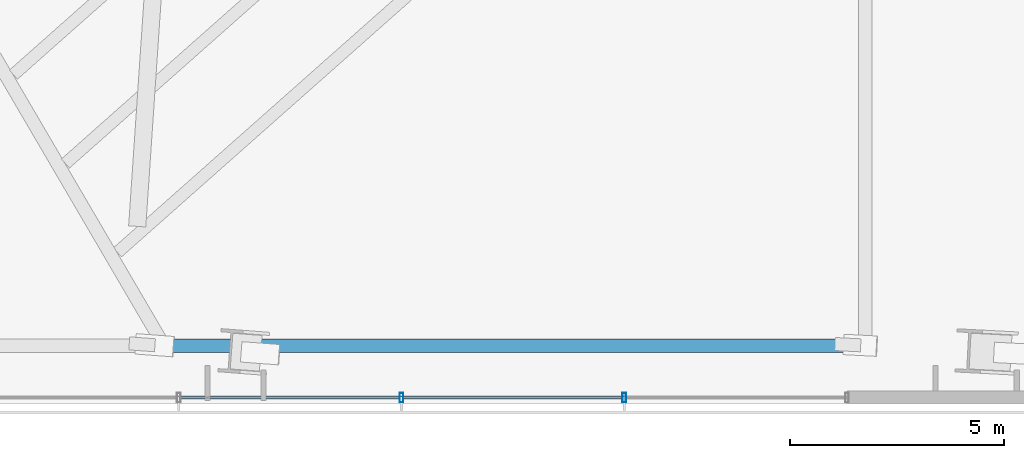
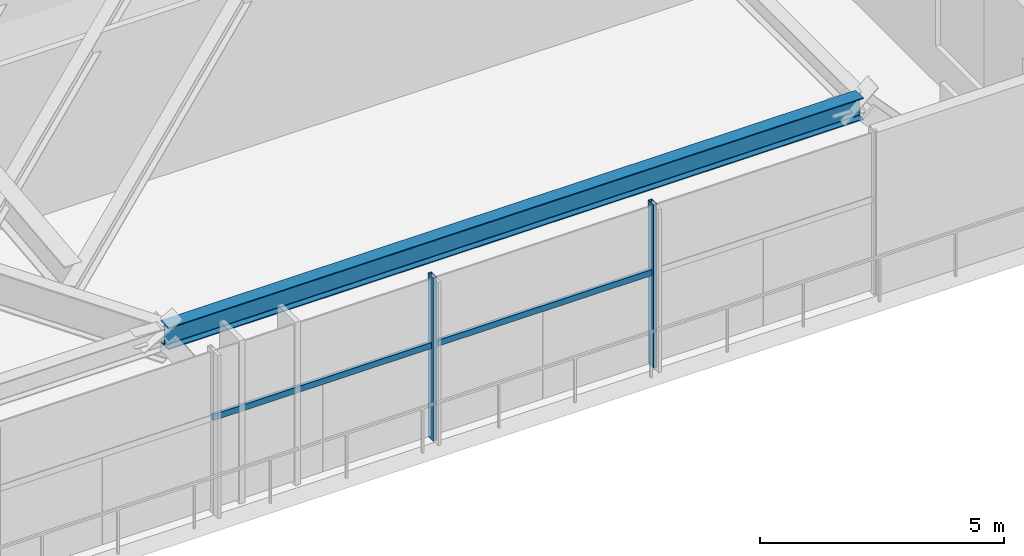
# One storey, part 14 of 33: 4 members, 1 beam, 1 element without a shape of its own.
"""IFC4 building model written with IfcOpenShell, lengths in metres."""

import ifcopenshell
import ifcopenshell.guid

model = None  # the IFC model being written
_history = None  # IfcOwnerHistory: only IFC2X3 demands one
_inside = {}  # id of a spatial element -> (the spatial element, [elements in it])
_under = {}  # id of a project, library or spatial element -> (it, [spatial elements below it])
_declared = {}  # id of a project -> (the project, [libraries it declares])
_typed = {}  # id of a type object -> (the type object, [elements of that type])
_made_of = {}  # id of a material, layer set ... -> (it, [elements and type objects made of it])


def new_model(schema):
    """Start an empty IFC model of exactly this schema.

    Asked for "IFC4X3", IfcOpenShell would pick the latest addendum, in which some entities
    have other attributes; the version numbers below select the first issue.
    IFC2X3 requires an IfcOwnerHistory on every rooted entity: one is made here for all.
    """
    global model, _history
    if schema == "IFC4X3":
        model = ifcopenshell.file(schema_version=(4, 3, 0, 0))
    else:
        model = ifcopenshell.file(schema=schema)
    _inside.clear()
    _under.clear()
    _declared.clear()
    _typed.clear()
    _made_of.clear()
    _history = None
    if model.schema == "IFC2X3":
        org = make("IfcOrganization", Name="unknown")
        user = make(
            "IfcPersonAndOrganization",
            ThePerson=make("IfcPerson", FamilyName="unknown"),
            TheOrganization=org,
        )
        app = make(
            "IfcApplication",
            ApplicationDeveloper=org,
            Version="unknown",
            ApplicationFullName="unknown",
            ApplicationIdentifier="unknown",
        )
        _history = make(
            "IfcOwnerHistory",
            OwningUser=user,
            OwningApplication=app,
            ChangeAction="ADDED",
            CreationDate=0,
        )
    return model


def make(cls, **values):
    """One entity of the class cls with the attributes given. An attribute that is None is left unset."""
    return model.create_entity(
        cls, **{name: value for name, value in values.items() if value is not None}
    )


def rooted(cls, **values):
    """An entity with a GlobalId (a new one), such as an element, a storey or a relation."""
    return make(cls, GlobalId=ifcopenshell.guid.new(), OwnerHistory=_history, **values)


def si_unit(unit_type, name, prefix=None):
    """IfcSIUnit, for example si_unit("LENGTHUNIT", "METRE", prefix="MILLI")."""
    return make("IfcSIUnit", UnitType=unit_type, Prefix=prefix, Name=name)


def assignment(units):
    """IfcUnitAssignment: the units of a project."""
    return None if units is None else make("IfcUnitAssignment", Units=units)


def point(xyz):
    """IfcCartesianPoint."""
    return None if xyz is None else make("IfcCartesianPoint", Coordinates=xyz)


def direction(xyz):
    """IfcDirection."""
    return None if xyz is None else make("IfcDirection", DirectionRatios=xyz)


def frame(location, z_axis=None, x_axis=None):
    """IfcAxis2Placement3D, a coordinate frame: its origin and axes. An axis left out is left unset."""
    return make(
        "IfcAxis2Placement3D",
        Location=point(location),
        Axis=direction(z_axis),
        RefDirection=direction(x_axis),
    )


def frame_2d(location, x_axis=None):
    """IfcAxis2Placement2D, a coordinate frame in the plane: its origin and x axis."""
    return make(
        "IfcAxis2Placement2D", Location=point(location), RefDirection=direction(x_axis)
    )


def origin():
    """The frame at (0, 0, 0) with its axes left unset."""
    return frame((0.0, 0.0, 0.0))


def origin_2d():
    """The frame at (0, 0) in the plane with its x axis left unset."""
    return frame_2d((0.0, 0.0))


def place(relative_to, where):
    """IfcLocalPlacement: puts the frame where relative to a parent placement (None: the world)."""
    return make(
        "IfcLocalPlacement", PlacementRelTo=relative_to, RelativePlacement=where
    )


def context(
    kind, dimensions, precision=None, world=None, true_north=None, identifier=None
):
    """IfcGeometricRepresentationContext, for example the 3D "Model" context."""
    return make(
        "IfcGeometricRepresentationContext",
        ContextIdentifier=identifier,
        ContextType=kind,
        CoordinateSpaceDimension=dimensions,
        Precision=precision,
        WorldCoordinateSystem=world,
        TrueNorth=true_north,
    )


def subcontext(parent, identifier, kind, view, scale=None):
    """IfcGeometricRepresentationSubContext, for example "Body" below "Model"."""
    return make(
        "IfcGeometricRepresentationSubContext",
        ContextIdentifier=identifier,
        ContextType=kind,
        ParentContext=parent,
        TargetScale=scale,
        TargetView=view,
    )


def project(units=None, contexts=None):
    """IfcProject with its units and contexts."""
    return rooted(
        "IfcProject",
        Name="project",
        RepresentationContexts=contexts,
        UnitsInContext=assignment(units),
    )


def spatial(cls, under=None, at=None, **own):
    """A site, building, storey or space (cls), placed at a placement, below another one or the project."""
    s = rooted(cls, ObjectPlacement=at, **own)
    if under is not None:
        _under.setdefault(under.id(), (under, []))[1].append(s)
    return s


def profile(cls, at=None, kind="AREA", **sizes):
    """A parametric profile (cls). Its sizes go by their IFC names, for example OverallWidth=200.0."""
    return make(cls, ProfileType=kind, Position=at, **sizes)


def hollow_rectangle(**sizes):
    """IfcRectangleHollowProfileDef."""
    return profile("IfcRectangleHollowProfileDef", **sizes)


def i_section(**sizes):
    """IfcIShapeProfileDef."""
    return profile("IfcIShapeProfileDef", **sizes)


def extrude(swept, where, along, depth):
    """IfcExtrudedAreaSolid: the profile swept, set in the frame where, extruded along a direction by depth."""
    return make(
        "IfcExtrudedAreaSolid",
        SweptArea=swept,
        Position=where,
        ExtrudedDirection=direction(along),
        Depth=depth,
    )


def shape(context_of_items, identifier, shape_type, items):
    """IfcShapeRepresentation: the items that make up one representation, for example the "Body"."""
    return make(
        "IfcShapeRepresentation",
        ContextOfItems=context_of_items,
        RepresentationIdentifier=identifier,
        RepresentationType=shape_type,
        Items=items,
    )


def source(mapping_origin, context_of_items, identifier, shape_type, items):
    """IfcRepresentationMap: a shape defined once, which mapped items show again and again."""
    return make(
        "IfcRepresentationMap",
        MappingOrigin=mapping_origin,
        MappedRepresentation=shape(context_of_items, identifier, shape_type, items),
    )


def transform(
    local_origin,
    x_axis=None,
    y_axis=None,
    z_axis=None,
    scale=None,
    scale2=None,
    scale3=None,
    uniform=True,
):
    """IfcCartesianTransformationOperator3D, or its non-uniform kind. x_axis, y_axis, z_axis: its Axis1, 2, 3."""
    if uniform:
        return make(
            "IfcCartesianTransformationOperator3D",
            Axis1=direction(x_axis),
            Axis2=direction(y_axis),
            LocalOrigin=point(local_origin),
            Scale=scale,
            Axis3=direction(z_axis),
        )
    return make(
        "IfcCartesianTransformationOperator3DnonUniform",
        Axis1=direction(x_axis),
        Axis2=direction(y_axis),
        LocalOrigin=point(local_origin),
        Scale=scale,
        Axis3=direction(z_axis),
        Scale2=scale2,
        Scale3=scale3,
    )


def mapped(mapping_source, mapping_target):
    """IfcMappedItem: shows the shape of a source again, moved by a transform."""
    return make(
        "IfcMappedItem", MappingSource=mapping_source, MappingTarget=mapping_target
    )


def material(Name=None, Category=None):
    """IfcMaterial."""
    return make("IfcMaterial", Name=Name, Category=Category)


def material_profile(
    of_material, cross_section, Name=None, Category=None, Priority=None
):
    """IfcMaterialProfile: a cross section and its material."""
    return make(
        "IfcMaterialProfile",
        Name=Name,
        Material=of_material,
        Profile=cross_section,
        Priority=Priority,
        Category=Category,
    )


def profile_set(profiles, Name=None, composite=None):
    """IfcMaterialProfileSet."""
    return make(
        "IfcMaterialProfileSet",
        Name=Name,
        MaterialProfiles=profiles,
        CompositeProfile=composite,
    )


def made_of(thing, what):
    """Note that an element or type object is made of a material, layer set ...; save() writes the relation."""
    if what is not None:
        _made_of.setdefault(what.id(), (what, []))[1].append(thing)
    return thing


def type_object(cls, material=None, **own):
    """A type object (cls), such as IfcWallType, which elements share."""
    return made_of(rooted(cls, **own), material)


def type_shapes(of_type, sources):
    """Give a type object the sources (RepresentationMaps) that its elements show as mapped items."""
    of_type.RepresentationMaps = sources


def element(
    cls,
    number,
    at=None,
    inside=None,
    cuts=None,
    type_object=None,
    material=None,
    context=None,
    identifier="Body",
    shape_type=None,
    held_by="IfcProductDefinitionShape",
    body=None,
    shapes=None,
    **own,
):
    """One element of the class cls, such as IfcWall. Its Tag is "e" and its number.

    at: its placement. inside: the storey or other place that contains it. cuts: it is an
    opening in that element (IfcRelVoidsElement). A single representation is given by context,
    identifier, shape_type and body (its items); several are given by shapes. held_by: the class
    of the entity that holds the representations. save() writes the other relations.
    """
    e = rooted(cls, Tag="e%d" % number, ObjectPlacement=at, **own)
    if body is not None:
        shapes = [shape(context, identifier, shape_type, body)]
    if shapes is not None:
        e.Representation = make(held_by, Representations=shapes)
    if inside is not None:
        _inside.setdefault(inside.id(), (inside, []))[1].append(e)
    if cuts is not None:
        rooted(
            "IfcRelVoidsElement", RelatingBuildingElement=cuts, RelatedOpeningElement=e
        )
    if type_object is not None:
        _typed.setdefault(type_object.id(), (type_object, []))[1].append(e)
    return made_of(e, material)


def aggregate(whole, parts):
    """IfcRelAggregates: a whole, such as a stair, and the parts it consists of."""
    return rooted("IfcRelAggregates", RelatingObject=whole, RelatedObjects=parts)


def save(model, path):
    """Write the relations noted so far, then the file.

    IfcRelAggregates (storeys below a building ...), IfcRelContainedInSpatialStructure (elements
    in a storey), IfcRelDefinesByType, IfcRelAssociatesMaterial and IfcRelDeclares: one each for
    every whole, place, type object, material and project.
    """
    for whole, parts in _under.values():
        aggregate(whole, parts)
    for where, things in _inside.values():
        rooted(
            "IfcRelContainedInSpatialStructure",
            RelatedElements=things,
            RelatingStructure=where,
        )
    for kind, things in _typed.values():
        rooted("IfcRelDefinesByType", RelatedObjects=things, RelatingType=kind)
    for what, things in _made_of.values():
        rooted("IfcRelAssociatesMaterial", RelatedObjects=things, RelatingMaterial=what)
    for by, libraries in _declared.values():
        rooted("IfcRelDeclares", RelatingContext=by, RelatedDefinitions=libraries)
    model.write(path)


model = new_model("IFC4")

# Units and contexts
model_context = context("Model", 3, precision=1e-05, world=origin(), true_north=direction((0.0, 1.0)))
body_context = subcontext(model_context, "Body", "Model", "MODEL_VIEW")
ifc_project = project(units=[si_unit("LENGTHUNIT", "METRE"), si_unit("AREAUNIT", "SQUARE_METRE"), si_unit("VOLUMEUNIT", "CUBIC_METRE"), si_unit("PLANEANGLEUNIT", "RADIAN"), si_unit("MASSUNIT", "GRAM", prefix="KILO")], contexts=[model_context])

# Site, building, storey
site_placement = place(None, origin())
site = spatial("IfcSite", under=ifc_project, at=site_placement, CompositionType="ELEMENT")
building_placement = place(site_placement, origin())
building = spatial("IfcBuilding", under=site, at=building_placement, Name="Astriad Promenade Condominiums", CompositionType="ELEMENT")
storey_placement = place(building_placement, frame((0.0, 0.0, 9.5)))
storey = spatial("IfcBuildingStorey", under=building, at=storey_placement, Name="L02", CompositionType="ELEMENT", Elevation=9.5)

# Beam
ifc_material_1 = material(Name="Steel ASTM A992 Grade 50", Category="steel")
ifc_material_profile_1 = material_profile(ifc_material_1, i_section(OverallWidth=0.3134765625, OverallDepth=0.54638671875, WebThickness=0.013916015625, FlangeThickness=0.022216796875, FilletRadius=0.0166015625, at=origin_2d()), Name="W21X111")
ifc_profile_set_1 = profile_set([ifc_material_profile_1], Name="Steel ASTM A992 Grade 50")
beam_type = type_object("IfcBeamType", Name="STEEL SPANDREL BEAM W21X111", PredefinedType="SPANDREL", material=ifc_profile_set_1)
shared_shape_1 = source(origin(), body_context, "Body", "SweptSolid", [
    extrude(i_section(OverallWidth=0.3134765625, OverallDepth=0.54638671875, WebThickness=0.013916015625, FlangeThickness=0.022216796875, FilletRadius=0.0166015625, at=origin_2d()), origin(), (0.0, 0.0, 1.0), 16.433837890625),
])
type_shapes(beam_type, [shared_shape_1])
beam_placement = place(storey_placement, frame((54.20068359375, 2.566650390625, 3.806884765625), z_axis=(1.0, 0.0, 0.0), x_axis=(0.0, 1.0, 0.0)))
element("IfcBeam", 1, at=beam_placement, inside=storey, type_object=beam_type, Name="Perimeter Spandrel Beam SP-S4-L02", PredefinedType="SPANDREL", context=body_context, shape_type="MappedRepresentation", body=[
    mapped(shared_shape_1, transform((0.0, 0.0, 0.0), scale=1.0)),
])

# Curtain wall, members
ifc_material_2 = material(Name="Anodised aluminium Black Dark Glass Unitised", Category="aluminium")
curtain_wall_type = type_object("IfcCurtainWallType", Name="CW-POD-DARK", PredefinedType="USERDEFINED", material=ifc_material_2)
curtain_wall_placement = place(storey_placement, origin())
curtain_wall = element("IfcCurtainWall", 2, at=curtain_wall_placement, inside=storey, type_object=curtain_wall_type, Name="CW-L02-S", ObjectType="UNITISED_CURTAIN_WALL", PredefinedType="USERDEFINED")
ifc_material_3 = material(Name="Anodised aluminium 6063-T6 Black", Category="aluminium")
ifc_material_profile_2 = material_profile(ifc_material_3, hollow_rectangle(XDim=0.0849609375, YDim=0.219970703125, WallThickness=0.0048828125, at=origin_2d()), Name="ALU-MUL-85X220")
ifc_profile_set_2 = profile_set([ifc_material_profile_2], Name="Anodised aluminium 6063-T6 Black")
member_type_1 = type_object("IfcMemberType", Name="MUL-ALU-MUL-85X220", PredefinedType="MULLION", material=ifc_profile_set_2)
shared_shape_2 = source(origin(), body_context, "Body", "SweptSolid", [
    extrude(hollow_rectangle(XDim=0.0849609375, YDim=0.219970703125, WallThickness=0.0048828125, at=origin_2d()), origin(), (0.0, 0.0, 1.0), 4.080078125),
])
type_shapes(member_type_1, [shared_shape_2])
member_1_placement = place(storey_placement, frame((65.041748046875, 1.35009765625, 0.0), z_axis=(0.0, 0.0, 1.0), x_axis=(1.0, 0.0, 0.0)))
member_1 = element("IfcMember", 3, at=member_1_placement, type_object=member_type_1, Name="CW-L02-S-MUL-01", PredefinedType="MULLION", context=body_context, shape_type="MappedRepresentation", body=[
    mapped(shared_shape_2, transform((0.0, 0.0, 0.0), scale=1.0)),
])
member_2_placement = place(storey_placement, frame((59.833251953125, 1.35009765625, 0.0), z_axis=(0.0, 0.0, 1.0), x_axis=(1.0, 0.0, 0.0)))
member_2 = element("IfcMember", 4, at=member_2_placement, type_object=member_type_1, Name="CW-L02-S-MUL-02", PredefinedType="MULLION", context=body_context, shape_type="MappedRepresentation", body=[
    mapped(shared_shape_2, transform((0.0, 0.0, 0.0), scale=1.0)),
])
ifc_material_profile_3 = material_profile(ifc_material_3, hollow_rectangle(XDim=0.074951171875, YDim=0.14990234375, WallThickness=0.004150390625, at=origin_2d()), Name="ALU-TRN-75X150")
ifc_profile_set_3 = profile_set([ifc_material_profile_3], Name="Anodised aluminium 6063-T6 Black")
member_type_2 = type_object("IfcMemberType", Name="TRN-ALU-TRN-75X150", PredefinedType="USERDEFINED", material=ifc_profile_set_3)
shared_shape_3 = source(origin(), body_context, "Body", "SweptSolid", [
    extrude(hollow_rectangle(XDim=0.074951171875, YDim=0.14990234375, WallThickness=0.004150390625, at=origin_2d()), origin(), (0.0, 0.0, 1.0), 5.208251953125),
])
member_3_placement = place(storey_placement, frame((59.833251953125, 1.35009765625, 2.35009765625), z_axis=(-1.0, 0.0, 0.0), x_axis=(0.0, -1.0, 0.0)))
member_3 = element("IfcMember", 5, at=member_3_placement, type_object=member_type_2, Name="CW-L02-S-TRN-02-0", ObjectType="TRANSOM", PredefinedType="USERDEFINED", context=body_context, shape_type="MappedRepresentation", body=[
    mapped(shared_shape_3, transform((0.0, 0.0, 0.0), scale=1.0)),
])
shared_shape_4 = source(origin(), body_context, "Body", "SweptSolid", [
    extrude(hollow_rectangle(XDim=0.074951171875, YDim=0.14990234375, WallThickness=0.004150390625, at=origin_2d()), origin(), (0.0, 0.0, 1.0), 5.20849609375),
])
type_shapes(member_type_2, [shared_shape_3, shared_shape_4])
member_4_placement = place(storey_placement, frame((65.041748046875, 1.35009765625, 2.35009765625), z_axis=(-1.0, 0.0, 0.0), x_axis=(0.0, -1.0, 0.0)))
member_4 = element("IfcMember", 6, at=member_4_placement, type_object=member_type_2, Name="CW-L02-S-TRN-01-0", ObjectType="TRANSOM", PredefinedType="USERDEFINED", context=body_context, shape_type="MappedRepresentation", body=[
    mapped(shared_shape_4, transform((0.0, 0.0, 0.0), scale=1.0)),
])
aggregate(curtain_wall, [member_1, member_2, member_4, member_3])

save(model, "model.ifc")
